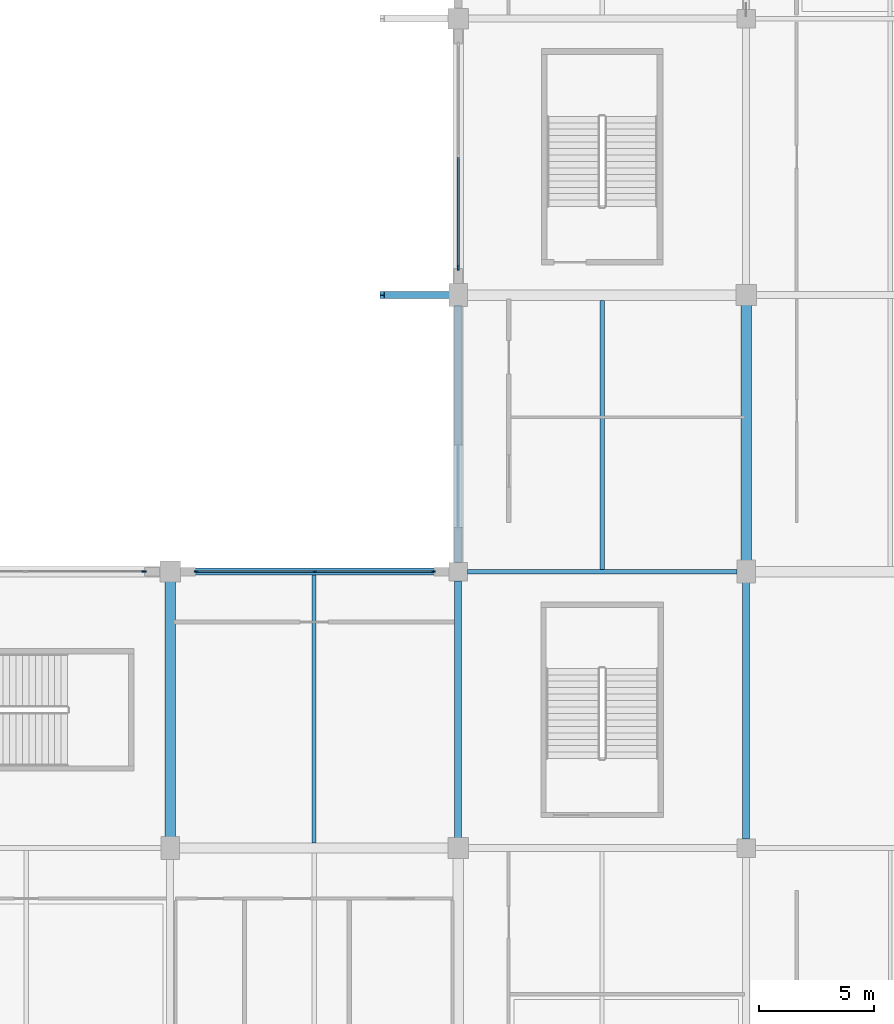
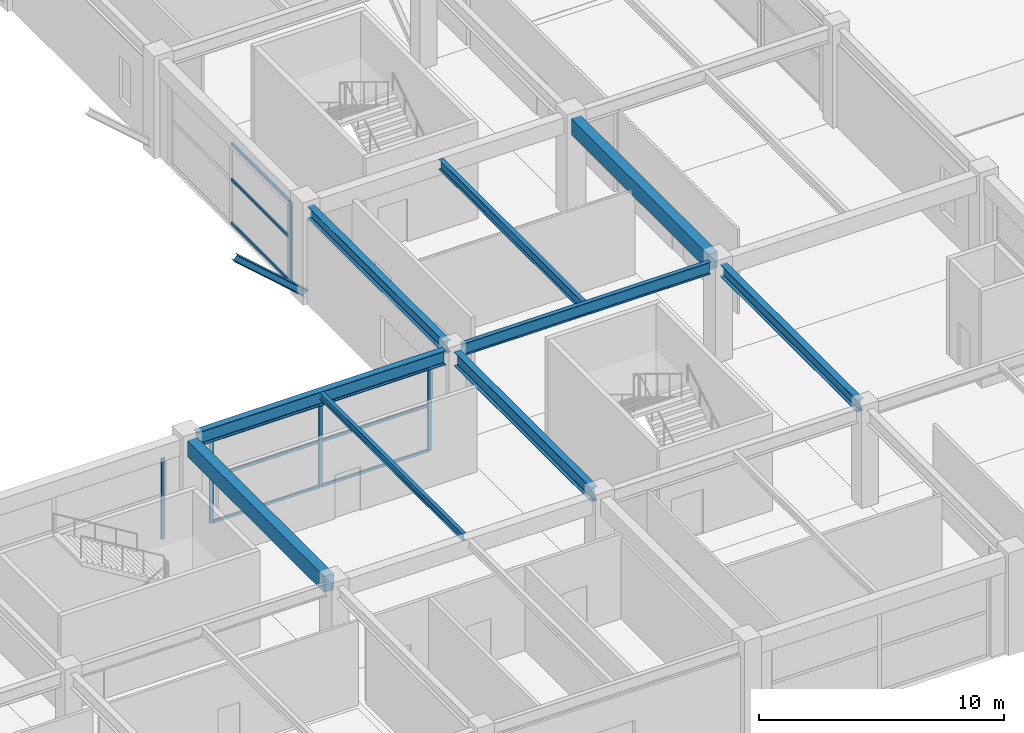
# One storey, part 34 of 116: 15 members, 9 beams, 3 elements without a shape of their own.
"""IFC4 building model written with IfcOpenShell, lengths in metres."""

from ifc_helpers import new_model, si_unit, direction, frame, origin, origin_2d, place, context, subcontext, project, spatial, rectangle, i_section, extrude, material, layer, layer_set, material_profile, profile_set, type_object, element, aggregate, save


model = new_model("IFC4")

# Units and contexts
model_context = context("Model", 3, precision=1e-05, world=origin(), true_north=direction((0.0, 1.0)))
body_context = subcontext(model_context, "Body", "Model", "MODEL_VIEW")
ifc_project = project(units=[si_unit("LENGTHUNIT", "METRE"), si_unit("AREAUNIT", "SQUARE_METRE"), si_unit("VOLUMEUNIT", "CUBIC_METRE"), si_unit("PLANEANGLEUNIT", "RADIAN"), si_unit("MASSUNIT", "GRAM", prefix="KILO")], contexts=[model_context])

# Site, building, storey
site_placement = place(None, origin())
site = spatial("IfcSite", under=ifc_project, at=site_placement, CompositionType="ELEMENT")
building_placement = place(site_placement, origin())
building = spatial("IfcBuilding", under=site, at=building_placement, Name="Kazenohara Klinker Stadium", CompositionType="ELEMENT")
storey_placement = place(building_placement, frame((0.0, 0.0, 10.199951171875)))
storey = spatial("IfcBuildingStorey", under=building, at=storey_placement, Name="L02", CompositionType="ELEMENT", Elevation=10.199951171875)

# Beams
ifc_material_1 = material(Name="Steel S355", Category="steel")
ifc_material_profile_1 = material_profile(ifc_material_1, i_section(OverallWidth=0.199951171875, OverallDepth=0.5, WebThickness=0.010009765625, FlangeThickness=0.01611328125, FilletRadius=0.012939453125, at=origin_2d()), Name="H-500x200x10x16")
ifc_profile_set_1 = profile_set([ifc_material_profile_1], Name="Steel S355")
beam_type_1 = type_object("IfcBeamType", Name="BM-JST01", PredefinedType="JOIST", material=ifc_profile_set_1)
beam_1_placement = place(storey_placement, frame((181.25, 36.10009765625, 4.570068359375), z_axis=(0.0, 1.0, 0.0), x_axis=(-1.0, 0.0, 0.0)))
element("IfcBeam", 1, at=beam_1_placement, inside=storey, type_object=beam_type_1, Name="Secondary floor joist SJ01 L02 15/D", PredefinedType="JOIST", context=body_context, shape_type="SweptSolid", body=[
    extrude(i_section(OverallWidth=0.199951171875, OverallDepth=0.5, WebThickness=0.010009765625, FlangeThickness=0.01611328125, FilletRadius=0.012939453125, at=origin_2d()), origin(), (0.0, 0.0, 1.0), 11.6748046875),
])
ifc_material_profile_2 = material_profile(ifc_material_1, i_section(OverallWidth=0.175048828125, OverallDepth=0.35009765625, WebThickness=0.007080078125, FlangeThickness=0.010986328125, FilletRadius=0.012939453125, at=origin_2d()), Name="H-350x175x7x11")
ifc_profile_set_2 = profile_set([ifc_material_profile_2], Name="Steel S355")
beam_type_2 = type_object("IfcBeamType", Name="BM-JST04", PredefinedType="JOIST", material=ifc_profile_set_2)
beam_2_placement = place(storey_placement, frame((168.75, 24.22509765625, 4.64501953125), z_axis=(0.0, 1.0, 0.0), x_axis=(-1.0, 0.0, 0.0)))
element("IfcBeam", 2, at=beam_2_placement, inside=storey, type_object=beam_type_2, Name="Secondary floor joist SJ04 L02 14/C", PredefinedType="JOIST", context=body_context, shape_type="SweptSolid", body=[
    extrude(i_section(OverallWidth=0.175048828125, OverallDepth=0.35009765625, WebThickness=0.007080078125, FlangeThickness=0.010986328125, FilletRadius=0.012939453125, at=origin_2d()), origin(), (0.0, 0.0, 1.0), 11.625),
])
ifc_material_2 = material(Name="Concrete C40/50", Category="concrete")
ifc_material_profile_3 = material_profile(ifc_material_2, rectangle(XDim=0.449951171875, YDim=0.800048828125, at=origin_2d()), Name="RC-BM-450x800")
ifc_profile_set_3 = profile_set([ifc_material_profile_3], Name="Concrete C40/50")
beam_type_3 = type_object("IfcBeamType", Name="BM-RC03", PredefinedType="BEAM", material=ifc_profile_set_3)
for number, where, z_axis, x_axis, name in (
    (3, (162.5, 24.419921875, 4.420166015625), (0.0, 1.0, 0.0), (-1.0, 0.0, 0.0), "Primary girder BG03 L02 14/C-D"),
    (4, (187.5, 36.419921875, 4.420166015625), (0.0, 1.0, 0.0), (-1.0, 0.0, 0.0), "Primary girder BG03 L02 16/D-E"),
):
    element("IfcBeam", number, at=place(storey_placement, frame(where, z_axis=z_axis, x_axis=x_axis)), inside=storey, type_object=beam_type_3, Name=name, PredefinedType="BEAM", context=body_context, shape_type="SweptSolid", body=[
        extrude(rectangle(XDim=0.449951171875, YDim=0.800048828125, at=origin_2d()), origin(), (0.0, 0.0, 1.0), 11.16015625),
    ])
ifc_material_profile_4 = material_profile(ifc_material_1, i_section(OverallWidth=0.300048828125, OverallDepth=0.699951171875, WebThickness=0.012939453125, FlangeThickness=0.02392578125, FilletRadius=0.02197265625, at=origin_2d()), Name="H-700x300x13x24")
ifc_profile_set_4 = profile_set([ifc_material_profile_4], Name="Steel S355")
beam_type_4 = type_object("IfcBeamType", Name="BM-ST03", PredefinedType="BEAM", material=ifc_profile_set_4)
beam_3_placement = place(storey_placement, frame((162.919921875, 36.0, 4.469970703125), z_axis=(1.0, 0.0, 0.0), x_axis=(0.0, 1.0, 0.0)))
element("IfcBeam", 5, at=beam_3_placement, inside=storey, type_object=beam_type_4, Name="Primary girder SB03 L02 14-15/D", PredefinedType="BEAM", context=body_context, shape_type="SweptSolid", body=[
    extrude(i_section(OverallWidth=0.300048828125, OverallDepth=0.699951171875, WebThickness=0.012939453125, FlangeThickness=0.02392578125, FilletRadius=0.02197265625, at=origin_2d()), origin(), (0.0, 0.0, 1.0), 11.68017578125),
])
beam_4_placement = place(storey_placement, frame((175.0, 24.419921875, 4.469970703125), z_axis=(0.0, 1.0, 0.0), x_axis=(-1.0, 0.0, 0.0)))
element("IfcBeam", 6, at=beam_4_placement, inside=storey, type_object=beam_type_4, Name="Primary girder SB03 L02 15/C-D", PredefinedType="BEAM", context=body_context, shape_type="SweptSolid", body=[
    extrude(i_section(OverallWidth=0.300048828125, OverallDepth=0.699951171875, WebThickness=0.012939453125, FlangeThickness=0.02392578125, FilletRadius=0.02197265625, at=origin_2d()), origin(), (0.0, 0.0, 1.0), 11.18017578125),
])
ifc_material_profile_5 = material_profile(ifc_material_1, i_section(OverallWidth=0.199951171875, OverallDepth=0.60009765625, WebThickness=0.010986328125, FlangeThickness=0.01708984375, FilletRadius=0.012939453125, at=origin_2d()), Name="H-600x200x11x17")
ifc_profile_set_5 = profile_set([ifc_material_profile_5], Name="Steel S355")
beam_type_5 = type_object("IfcBeamType", Name="BM-ST04", PredefinedType="BEAM", material=ifc_profile_set_5)
beam_5_placement = place(storey_placement, frame((175.39990234375, 36.0, 4.52001953125), z_axis=(1.0, 0.0, 0.0), x_axis=(0.0, 1.0, 0.0)))
element("IfcBeam", 7, at=beam_5_placement, inside=storey, type_object=beam_type_5, Name="Primary girder SB04 L02 15-16/D", PredefinedType="BEAM", context=body_context, shape_type="SweptSolid", body=[
    extrude(i_section(OverallWidth=0.199951171875, OverallDepth=0.60009765625, WebThickness=0.010986328125, FlangeThickness=0.01708984375, FilletRadius=0.012939453125, at=origin_2d()), origin(), (0.0, 0.0, 1.0), 11.7001953125),
])
ifc_material_profile_6 = material_profile(ifc_material_1, i_section(OverallWidth=0.300048828125, OverallDepth=0.587890625, WebThickness=0.011962890625, FlangeThickness=0.02001953125, FilletRadius=0.02197265625, at=origin_2d()), Name="H-588x300x12x20")
ifc_profile_set_6 = profile_set([ifc_material_profile_6], Name="Steel S355")
beam_type_6 = type_object("IfcBeamType", Name="BM-ST05", PredefinedType="BEAM", material=ifc_profile_set_6)
for number, where, z_axis, x_axis, name in (
    (8, (175.0, 36.39990234375, 4.526123046875), (0.0, 1.0, 0.0), (-1.0, 0.0, 0.0), "Primary girder SB05 L02 15/D-E"),
    (9, (187.5, 24.39990234375, 4.526123046875), (0.0, 1.0, 0.0), (-1.0, 0.0, 0.0), "Primary girder SB05 L02 16/C-D"),
):
    element("IfcBeam", number, at=place(storey_placement, frame(where, z_axis=z_axis, x_axis=x_axis)), inside=storey, type_object=beam_type_6, Name=name, PredefinedType="BEAM", context=body_context, shape_type="SweptSolid", body=[
        extrude(i_section(OverallWidth=0.300048828125, OverallDepth=0.587890625, WebThickness=0.011962890625, FlangeThickness=0.02001953125, FilletRadius=0.02197265625, at=origin_2d()), origin(), (0.0, 0.0, 1.0), 11.18017578125),
    ])

# Curtain wall, member
ifc_material_3 = material(Name="Anodised aluminium and triple glazing", Category="aluminium")
ifc_layer_1 = layer(ifc_material_3, 0.169921875)
ifc_layer_set_1 = layer_set([ifc_layer_1], Name="Anodised aluminium and triple glazing")
curtain_wall_type_1 = type_object("IfcCurtainWallType", Name="CW-SYS-04", PredefinedType="USERDEFINED", material=ifc_layer_set_1)
curtain_wall_1_placement = place(storey_placement, origin())
curtain_wall_1 = element("IfcCurtainWall", 10, at=curtain_wall_1_placement, inside=storey, type_object=curtain_wall_type_1, Name="Unitised facade curtain wall CW04 L02 X12-3", ObjectType="UNITISED CURTAIN WALL", PredefinedType="USERDEFINED")
ifc_material_4 = material(Name="Anodised aluminium 6063-T6", Category="aluminium")
ifc_material_profile_7 = material_profile(ifc_material_4, rectangle(XDim=0.06494140625, YDim=0.179931640625, at=origin_2d()), Name="ALU-MUL-65x180")
ifc_profile_set_7 = profile_set([ifc_material_profile_7], Name="Anodised aluminium 6063-T6")
member_type_1 = type_object("IfcMemberType", Name="CW-MUL-180", PredefinedType="MULLION", material=ifc_profile_set_7)
member_1_placement = place(storey_placement, frame((161.363525390625, 36.0, 0.0), z_axis=(0.0, 0.0, 1.0), x_axis=(0.0, 1.0, 0.0)))
member_1 = element("IfcMember", 11, at=member_1_placement, type_object=member_type_1, Name="CW04 mullion 3", PredefinedType="MULLION", context=body_context, shape_type="SweptSolid", body=[
    extrude(rectangle(XDim=0.06494140625, YDim=0.179931640625, at=origin_2d()), origin(), (0.0, 0.0, 1.0), 4.02001953125),
])
aggregate(curtain_wall_1, [member_1])

# Curtain wall, members
ifc_layer_2 = layer(ifc_material_3, 0.159912109375)
ifc_layer_set_2 = layer_set([ifc_layer_2], Name="Anodised aluminium and triple glazing")
curtain_wall_type_2 = type_object("IfcCurtainWallType", Name="CW-SYS-01", PredefinedType="USERDEFINED", material=ifc_layer_set_2)
curtain_wall_2_placement = place(storey_placement, origin())
curtain_wall_2 = element("IfcCurtainWall", 12, at=curtain_wall_2_placement, inside=storey, type_object=curtain_wall_type_2, Name="Unitised facade curtain wall CW01 L02 X13-3", ObjectType="UNITISED CURTAIN WALL", PredefinedType="USERDEFINED")
member_2_placement = place(storey_placement, frame((163.636474609375, 36.0, 0.0), z_axis=(0.0, 0.0, 1.0), x_axis=(0.0, 1.0, 0.0)))
member_2 = element("IfcMember", 13, at=member_2_placement, type_object=member_type_1, Name="CW01 mullion 1", PredefinedType="MULLION", context=body_context, shape_type="SweptSolid", body=[
    extrude(rectangle(XDim=0.06494140625, YDim=0.179931640625, at=origin_2d()), origin(), (0.0, 0.0, 1.0), 4.1201171875),
])
member_3_placement = place(storey_placement, frame((168.77490234375, 36.0, 0.0), z_axis=(0.0, 0.0, 1.0), x_axis=(0.0, 1.0, 0.0)))
member_3 = element("IfcMember", 14, at=member_3_placement, type_object=member_type_1, Name="CW01 mullion 2", PredefinedType="MULLION", context=body_context, shape_type="SweptSolid", body=[
    extrude(rectangle(XDim=0.06494140625, YDim=0.179931640625, at=origin_2d()), origin(), (0.0, 0.0, 1.0), 4.1201171875),
])
member_4_placement = place(storey_placement, frame((173.91357421875, 36.0, 0.0), z_axis=(0.0, 0.0, 1.0), x_axis=(0.0, 1.0, 0.0)))
member_4 = element("IfcMember", 15, at=member_4_placement, type_object=member_type_1, Name="CW01 mullion 3", PredefinedType="MULLION", context=body_context, shape_type="SweptSolid", body=[
    extrude(rectangle(XDim=0.06494140625, YDim=0.179931640625, at=origin_2d()), origin(), (0.0, 0.0, 1.0), 4.1201171875),
])

# Curtain wall, member
curtain_wall_3_placement = place(storey_placement, origin())
curtain_wall_3 = element("IfcCurtainWall", 16, at=curtain_wall_3_placement, inside=storey, type_object=curtain_wall_type_1, Name="Unitised facade curtain wall CW04 L02 Y14-4", ObjectType="UNITISED CURTAIN WALL", PredefinedType="USERDEFINED")
ifc_material_profile_8 = material_profile(ifc_material_4, rectangle(XDim=0.074951171875, YDim=0.219970703125, at=origin_2d()), Name="ALU-MUL-75x220")
ifc_profile_set_8 = profile_set([ifc_material_profile_8], Name="Anodised aluminium 6063-T6")
member_type_2 = type_object("IfcMemberType", Name="CW-MUL-220", PredefinedType="MULLION", material=ifc_profile_set_8)
member_5_placement = place(storey_placement, frame((175.0, 49.19140625, 0.0), z_axis=(0.0, 0.0, 1.0), x_axis=(-1.0, 0.0, 0.0)))
member_5 = element("IfcMember", 17, at=member_5_placement, type_object=member_type_2, Name="CW04 mullion 1", PredefinedType="MULLION", context=body_context, shape_type="SweptSolid", body=[
    extrude(rectangle(XDim=0.074951171875, YDim=0.219970703125, at=origin_2d()), origin(), (0.0, 0.0, 1.0), 4.02001953125),
])

# Member
ifc_material_profile_9 = material_profile(ifc_material_4, rectangle(XDim=0.06494140625, YDim=0.139892578125, at=origin_2d()), Name="ALU-TRN-65x140")
ifc_profile_set_9 = profile_set([ifc_material_profile_9], Name="Anodised aluminium 6063-T6")
member_type_3 = type_object("IfcMemberType", Name="CW-TRN-140", PredefinedType="USERDEFINED", material=ifc_profile_set_9)
member_6_placement = place(storey_placement, frame((163.6689453125, 36.0, 0.032470703125), z_axis=(1.0, 0.0, 0.0), x_axis=(0.0, 1.0, 0.0)))
member_6 = element("IfcMember", 18, at=member_6_placement, type_object=member_type_3, Name="CW01 transom 1.1", ObjectType="TRANSOM", PredefinedType="USERDEFINED", context=body_context, shape_type="SweptSolid", body=[
    extrude(rectangle(XDim=0.06494140625, YDim=0.139892578125, at=origin_2d()), origin(), (0.0, 0.0, 1.0), 5.073486328125),
])

member_7_placement = place(storey_placement, frame((163.6689453125, 36.0, 2.26611328125), z_axis=(1.0, 0.0, 0.0), x_axis=(0.0, 1.0, 0.0)))
member_7 = element("IfcMember", 19, at=member_7_placement, type_object=member_type_3, Name="CW01 transom 1.2", ObjectType="TRANSOM", PredefinedType="USERDEFINED", context=body_context, shape_type="SweptSolid", body=[
    extrude(rectangle(XDim=0.06494140625, YDim=0.139892578125, at=origin_2d()), origin(), (0.0, 0.0, 1.0), 5.073486328125),
])

member_8_placement = place(storey_placement, frame((163.6689453125, 36.0, 4.087646484375), z_axis=(1.0, 0.0, 0.0), x_axis=(0.0, 1.0, 0.0)))
member_8 = element("IfcMember", 20, at=member_8_placement, type_object=member_type_3, Name="CW01 transom 1.3", ObjectType="TRANSOM", PredefinedType="USERDEFINED", context=body_context, shape_type="SweptSolid", body=[
    extrude(rectangle(XDim=0.06494140625, YDim=0.139892578125, at=origin_2d()), origin(), (0.0, 0.0, 1.0), 5.073486328125),
])

member_9_placement = place(storey_placement, frame((168.8076171875, 36.0, 0.032470703125), z_axis=(1.0, 0.0, 0.0), x_axis=(0.0, 1.0, 0.0)))
member_9 = element("IfcMember", 21, at=member_9_placement, type_object=member_type_3, Name="CW01 transom 2.1", ObjectType="TRANSOM", PredefinedType="USERDEFINED", context=body_context, shape_type="SweptSolid", body=[
    extrude(rectangle(XDim=0.06494140625, YDim=0.139892578125, at=origin_2d()), origin(), (0.0, 0.0, 1.0), 5.073486328125),
])

member_10_placement = place(storey_placement, frame((168.8076171875, 36.0, 2.26611328125), z_axis=(1.0, 0.0, 0.0), x_axis=(0.0, 1.0, 0.0)))
member_10 = element("IfcMember", 22, at=member_10_placement, type_object=member_type_3, Name="CW01 transom 2.2", ObjectType="TRANSOM", PredefinedType="USERDEFINED", context=body_context, shape_type="SweptSolid", body=[
    extrude(rectangle(XDim=0.06494140625, YDim=0.139892578125, at=origin_2d()), origin(), (0.0, 0.0, 1.0), 5.073486328125),
])

member_11_placement = place(storey_placement, frame((168.8076171875, 36.0, 4.087646484375), z_axis=(1.0, 0.0, 0.0), x_axis=(0.0, 1.0, 0.0)))
member_11 = element("IfcMember", 23, at=member_11_placement, type_object=member_type_3, Name="CW01 transom 2.3", ObjectType="TRANSOM", PredefinedType="USERDEFINED", context=body_context, shape_type="SweptSolid", body=[
    extrude(rectangle(XDim=0.06494140625, YDim=0.139892578125, at=origin_2d()), origin(), (0.0, 0.0, 1.0), 5.073486328125),
])

aggregate(curtain_wall_2, [member_2, member_3, member_4, member_6, member_7, member_8, member_9, member_10, member_11])

ifc_material_profile_10 = material_profile(ifc_material_4, rectangle(XDim=0.074951171875, YDim=0.159912109375, at=origin_2d()), Name="ALU-TRN-75x160")
ifc_profile_set_10 = profile_set([ifc_material_profile_10], Name="Anodised aluminium 6063-T6")
member_type_4 = type_object("IfcMemberType", Name="CW-TRN-160", PredefinedType="USERDEFINED", material=ifc_profile_set_10)
member_12_placement = place(storey_placement, frame((175.0, 49.22900390625, 0.03759765625), z_axis=(0.0, 1.0, 0.0), x_axis=(-1.0, 0.0, 0.0)))
member_12 = element("IfcMember", 24, at=member_12_placement, type_object=member_type_4, Name="CW04 transom 1.1", ObjectType="TRANSOM", PredefinedType="USERDEFINED", context=body_context, shape_type="SweptSolid", body=[
    extrude(rectangle(XDim=0.074951171875, YDim=0.159912109375, at=origin_2d()), origin(), (0.0, 0.0, 1.0), 4.758544921875),
])

member_13_placement = place(storey_placement, frame((175.0, 49.22900390625, 2.2109375), z_axis=(0.0, 1.0, 0.0), x_axis=(-1.0, 0.0, 0.0)))
member_13 = element("IfcMember", 25, at=member_13_placement, type_object=member_type_4, Name="CW04 transom 1.2", ObjectType="TRANSOM", PredefinedType="USERDEFINED", context=body_context, shape_type="SweptSolid", body=[
    extrude(rectangle(XDim=0.074951171875, YDim=0.159912109375, at=origin_2d()), origin(), (0.0, 0.0, 1.0), 4.758544921875),
])

member_14_placement = place(storey_placement, frame((175.0, 49.22900390625, 3.982666015625), z_axis=(0.0, 1.0, 0.0), x_axis=(-1.0, 0.0, 0.0)))
member_14 = element("IfcMember", 26, at=member_14_placement, type_object=member_type_4, Name="CW04 transom 1.3", ObjectType="TRANSOM", PredefinedType="USERDEFINED", context=body_context, shape_type="SweptSolid", body=[
    extrude(rectangle(XDim=0.074951171875, YDim=0.159912109375, at=origin_2d()), origin(), (0.0, 0.0, 1.0), 4.758544921875),
])

aggregate(curtain_wall_3, [member_5, member_12, member_13, member_14])

ifc_material_profile_11 = material_profile(ifc_material_1, i_section(OverallWidth=0.300048828125, OverallDepth=0.300048828125, WebThickness=0.010009765625, FlangeThickness=0.014892578125, FilletRadius=0.012939453125, at=origin_2d()), Name="H-300x300x10x15")
ifc_profile_set_11 = profile_set([ifc_material_profile_11], Name="Steel S355")
member_type_5 = type_object("IfcMemberType", Name="MEM-BRC01", PredefinedType="BRACE", material=ifc_profile_set_11)
member_15_placement = place(storey_placement, frame((175.0, 48.0, 0.199951171875), z_axis=(-0.750987889423, 0.0, 0.660315977347), x_axis=(0.0, -1.0, 0.0)))
element("IfcMember", 27, at=member_15_placement, inside=storey, type_object=member_type_5, Name="Upper bowl raking bracket strut BR01 East E", PredefinedType="BRACE", context=body_context, shape_type="SweptSolid", body=[
    extrude(i_section(OverallWidth=0.300048828125, OverallDepth=0.300048828125, WebThickness=0.010009765625, FlangeThickness=0.014892578125, FilletRadius=0.012939453125, at=origin_2d()), origin(), (0.0, 0.0, 1.0), 4.394287109375),
])

save(model, "model.ifc")
